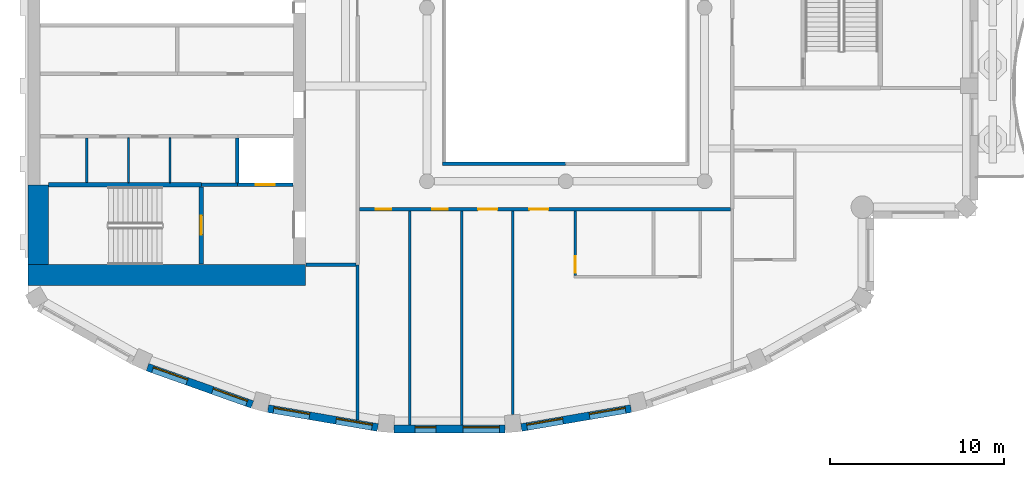
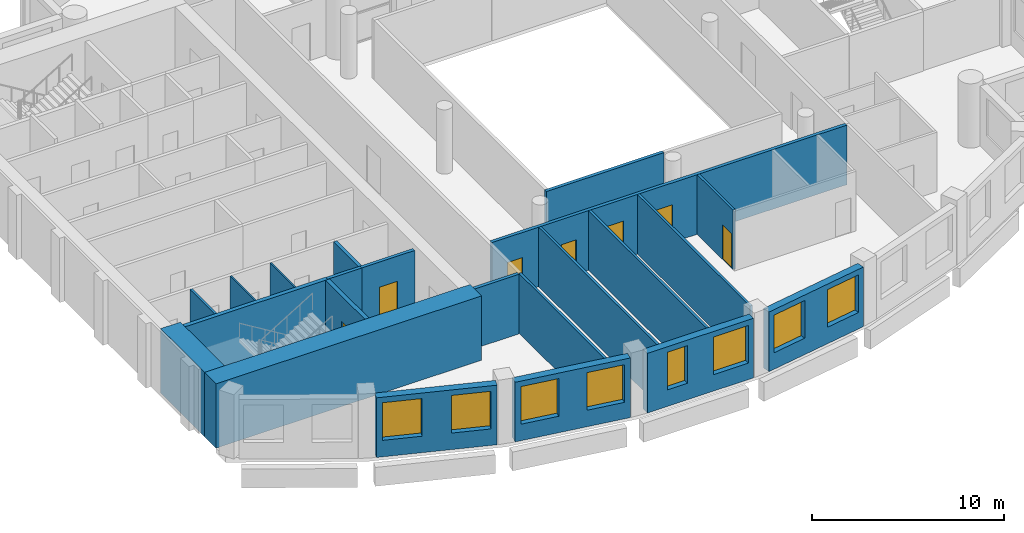
# One storey, part 4 of 14: 22 walls, 8 windows, 7 doors, 15 openings.
"""IFC4 building model written with IfcOpenShell, lengths in metres."""

from ifc_helpers import new_model, si_unit, direction, frame, frame_2d, origin, place, context, subcontext, project, spatial, rectangle, extrude, material, layer, layer_set, type_object, element, fill, save


model = new_model("IFC4")

# Units and contexts
model_context = context("Model", 3, precision=1e-05, world=origin(), true_north=direction((0.0, 1.0)))
body_context = subcontext(model_context, "Body", "Model", "MODEL_VIEW")
ifc_project = project(units=[si_unit("LENGTHUNIT", "METRE"), si_unit("AREAUNIT", "SQUARE_METRE"), si_unit("VOLUMEUNIT", "CUBIC_METRE"), si_unit("PLANEANGLEUNIT", "RADIAN"), si_unit("MASSUNIT", "GRAM", prefix="KILO")], contexts=[model_context])

# Site, building, storey
site_placement = place(None, origin())
site = spatial("IfcSite", under=ifc_project, at=site_placement, CompositionType="ELEMENT")
building_placement = place(site_placement, origin())
building = spatial("IfcBuilding", under=site, at=building_placement, Name="Cypress Arch Tower", CompositionType="ELEMENT")
storey_placement = place(building_placement, frame((0.0, 0.0, 251.60009765625)))
storey = spatial("IfcBuildingStorey", under=building, at=storey_placement, Name="L56", CompositionType="ELEMENT", Elevation=251.60009765625)

# Wall, openings, windows
ifc_material_1 = material(Name="Brick (red buff blend)", Category="masonry")
ifc_layer_1 = layer(ifc_material_1, 0.449951171875)
ifc_layer_set_1 = layer_set([ifc_layer_1], Name="Brick pier and spandrel wall BW450")
wall_type_1 = type_object("IfcWallType", Name="Brick pier and spandrel wall BW450", PredefinedType="SOLIDWALL", material=ifc_layer_set_1)
wall_1_placement = place(storey_placement, frame((-23.10498046875, -20.70947265625, 0.0), z_axis=(0.0, 0.0, 1.0), x_axis=(0.942104058931, -0.335320655711, 0.0)))
wall_1 = element("IfcWall", 1, at=wall_1_placement, inside=storey, type_object=wall_type_1, Name="Brick wall L56 C09.0", PredefinedType="SOLIDWALL", context=body_context, shape_type="SweptSolid", body=[
    extrude(rectangle(XDim=6.411376953125, YDim=0.449951171875, at=frame_2d((3.20556640625, 0.0))), origin(), (0.0, 0.0, 1.0), 3.7998046875),
])
opening_1_placement = place(wall_1_placement, frame((0.3271484375, 0.0, 1.050048828125)))
opening_1 = element("IfcOpeningElement", 2, at=opening_1_placement, cuts=wall_1, Name="Opening W210O", PredefinedType="OPENING", context=body_context, shape_type="SweptSolid", body=[
    extrude(rectangle(XDim=2.10009765625, YDim=2.39990234375, at=frame_2d((1.050048828125, 1.199951171875))), frame((0.0, 0.23486328125, 0.0), z_axis=(0.0, -1.0, 0.0), x_axis=(1.0, 0.0, 0.0)), (0.0, 0.0, 1.0), 0.469970703125),
])
opening_2_placement = place(wall_1_placement, frame((3.984619140625, 0.0, 1.050048828125)))
opening_2 = element("IfcOpeningElement", 3, at=opening_2_placement, cuts=wall_1, Name="Opening W210O", PredefinedType="OPENING", context=body_context, shape_type="SweptSolid", body=[
    extrude(rectangle(XDim=2.10009765625, YDim=2.39990234375, at=frame_2d((1.050048828125, 1.199951171875))), frame((0.0, 0.23486328125, 0.0), z_axis=(0.0, -1.0, 0.0), x_axis=(1.0, 0.0, 0.0)), (0.0, 0.0, 1.0), 0.469970703125),
])
ifc_material_2 = material(Name="Anodised aluminium, bronze finish, clear low-emissivity double glazing", Category="aluminium")
window_type_1 = type_object("IfcWindowType", Name="Window Office 2100x2400", PartitioningType="SINGLE_PANEL", PredefinedType="WINDOW", material=ifc_material_2)
window_1_placement = place(opening_1_placement, origin())
window_1 = element("IfcWindow", 4, at=window_1_placement, inside=storey, type_object=window_type_1, Name="Window L56 C09.0.1", OverallHeight=2.39990234375, OverallWidth=2.10009765625, PartitioningType="SINGLE_PANEL", PredefinedType="WINDOW", context=body_context, shape_type="SweptSolid", body=[
    extrude(rectangle(XDim=2.10009765625, YDim=2.39990234375, at=frame_2d((1.050048828125, 1.199951171875))), frame((0.0, 0.135009765625, 0.0), z_axis=(0.0, -1.0, 0.0), x_axis=(1.0, 0.0, 0.0)), (0.0, 0.0, 1.0), 0.06005859375),
])
fill(opening_1, window_1)
window_2_placement = place(opening_2_placement, origin())
window_2 = element("IfcWindow", 5, at=window_2_placement, inside=storey, type_object=window_type_1, Name="Window L56 C09.0.2", OverallHeight=2.39990234375, OverallWidth=2.10009765625, PartitioningType="SINGLE_PANEL", PredefinedType="WINDOW", context=body_context, shape_type="SweptSolid", body=[
    extrude(rectangle(XDim=2.10009765625, YDim=2.39990234375, at=frame_2d((1.050048828125, 1.199951171875))), frame((0.0, 0.135009765625, 0.0), z_axis=(0.0, -1.0, 0.0), x_axis=(1.0, 0.0, 0.0)), (0.0, 0.0, 1.0), 0.06005859375),
])
fill(opening_2, window_2)

wall_2_placement = place(storey_placement, frame((-16.15673828125, -23.09716796875, 0.0), z_axis=(0.0, 0.0, 1.0), x_axis=(0.985502073964, -0.169663379113, 0.0)))
wall_2 = element("IfcWall", 6, at=wall_2_placement, inside=storey, type_object=wall_type_1, Name="Brick wall L56 C10.0", PredefinedType="SOLIDWALL", context=body_context, shape_type="SweptSolid", body=[
    extrude(rectangle(XDim=6.412109375, YDim=0.449951171875, at=frame_2d((3.2060546875, 0.0))), origin(), (0.0, 0.0, 1.0), 3.7998046875),
])
opening_3_placement = place(wall_2_placement, frame((0.3271484375, 0.0, 1.050048828125)))
opening_3 = element("IfcOpeningElement", 7, at=opening_3_placement, cuts=wall_2, Name="Opening W210O", PredefinedType="OPENING", context=body_context, shape_type="SweptSolid", body=[
    extrude(rectangle(XDim=2.10009765625, YDim=2.39990234375, at=frame_2d((1.050048828125, 1.199951171875))), frame((0.0, 0.23486328125, 0.0), z_axis=(0.0, -1.0, 0.0), x_axis=(1.0, 0.0, 0.0)), (0.0, 0.0, 1.0), 0.469970703125),
])
opening_4_placement = place(wall_2_placement, frame((3.98486328125, 0.0, 1.050048828125)))
opening_4 = element("IfcOpeningElement", 8, at=opening_4_placement, cuts=wall_2, Name="Opening W210O", PredefinedType="OPENING", context=body_context, shape_type="SweptSolid", body=[
    extrude(rectangle(XDim=2.10009765625, YDim=2.39990234375, at=frame_2d((1.050048828125, 1.199951171875))), frame((0.0, 0.23486328125, 0.0), z_axis=(0.0, -1.0, 0.0), x_axis=(1.0, 0.0, 0.0)), (0.0, 0.0, 1.0), 0.469970703125),
])
window_3_placement = place(opening_3_placement, origin())
window_3 = element("IfcWindow", 9, at=window_3_placement, inside=storey, type_object=window_type_1, Name="Window L56 C10.0.1", OverallHeight=2.39990234375, OverallWidth=2.10009765625, PartitioningType="SINGLE_PANEL", PredefinedType="WINDOW", context=body_context, shape_type="SweptSolid", body=[
    extrude(rectangle(XDim=2.10009765625, YDim=2.39990234375, at=frame_2d((1.050048828125, 1.199951171875))), frame((0.0, 0.135009765625, 0.0), z_axis=(0.0, -1.0, 0.0), x_axis=(1.0, 0.0, 0.0)), (0.0, 0.0, 1.0), 0.06005859375),
])
fill(opening_3, window_3)
window_4_placement = place(opening_4_placement, origin())
window_4 = element("IfcWindow", 10, at=window_4_placement, inside=storey, type_object=window_type_1, Name="Window L56 C10.0.2", OverallHeight=2.39990234375, OverallWidth=2.10009765625, PartitioningType="SINGLE_PANEL", PredefinedType="WINDOW", context=body_context, shape_type="SweptSolid", body=[
    extrude(rectangle(XDim=2.10009765625, YDim=2.39990234375, at=frame_2d((1.050048828125, 1.199951171875))), frame((0.0, 0.135009765625, 0.0), z_axis=(0.0, -1.0, 0.0), x_axis=(1.0, 0.0, 0.0)), (0.0, 0.0, 1.0), 0.06005859375),
])
fill(opening_4, window_4)

wall_3_placement = place(storey_placement, frame((-8.90283203125, -24.264892578125, 0.0), z_axis=(0.0, 0.0, 1.0), x_axis=(1.0, 0.0, 0.0)))
wall_3 = element("IfcWall", 11, at=wall_3_placement, inside=storey, type_object=wall_type_1, Name="Brick wall L56 C11.0", PredefinedType="SOLIDWALL", context=body_context, shape_type="SweptSolid", body=[
    extrude(rectangle(XDim=6.405517578125, YDim=0.449951171875, at=frame_2d((3.20263671875, 0.0))), origin(), (0.0, 0.0, 1.0), 3.7998046875),
])
opening_5_placement = place(wall_3_placement, frame((3.97998046875, 0.0, 1.050048828125)))
opening_5 = element("IfcOpeningElement", 12, at=opening_5_placement, cuts=wall_3, Name="Opening W210O", PredefinedType="OPENING", context=body_context, shape_type="SweptSolid", body=[
    extrude(rectangle(XDim=2.10009765625, YDim=2.39990234375, at=frame_2d((1.050048828125, 1.199951171875))), frame((0.0, 0.23486328125, 0.0), z_axis=(0.0, -1.0, 0.0), x_axis=(1.0, 0.0, 0.0)), (0.0, 0.0, 1.0), 0.469970703125),
])
opening_6_placement = place(wall_3_placement, frame((1.214111328125, 0.0, 1.050048828125)))
opening_6 = element("IfcOpeningElement", 13, at=opening_6_placement, cuts=wall_3, Name="Opening W120O", PredefinedType="OPENING", context=body_context, shape_type="SweptSolid", body=[
    extrude(rectangle(XDim=1.199951171875, YDim=2.39990234375, at=frame_2d((0.60009765625, 1.199951171875))), frame((0.0, 0.23486328125, 0.0), z_axis=(0.0, -1.0, 0.0), x_axis=(1.0, 0.0, 0.0)), (0.0, 0.0, 1.0), 0.469970703125),
])
ifc_material_3 = material(Name="Anodised aluminium, bronze finish, clear low-emissivity double glazing", Category="aluminium")
window_type_2 = type_object("IfcWindowType", Name="Window Office 1200x2400", PartitioningType="SINGLE_PANEL", PredefinedType="WINDOW", material=ifc_material_3)
window_5_placement = place(opening_6_placement, origin())
window_5 = element("IfcWindow", 14, at=window_5_placement, inside=storey, type_object=window_type_2, Name="Window L56 C11.0.1", OverallHeight=2.39990234375, OverallWidth=1.199951171875, PartitioningType="SINGLE_PANEL", PredefinedType="WINDOW", context=body_context, shape_type="SweptSolid", body=[
    extrude(rectangle(XDim=1.199951171875, YDim=2.39990234375, at=frame_2d((0.60009765625, 1.199951171875))), frame((0.0, 0.135009765625, 0.0), z_axis=(0.0, -1.0, 0.0), x_axis=(1.0, 0.0, 0.0)), (0.0, 0.0, 1.0), 0.06005859375),
])
fill(opening_6, window_5)
window_6_placement = place(opening_5_placement, origin())
window_6 = element("IfcWindow", 15, at=window_6_placement, inside=storey, type_object=window_type_1, Name="Window L56 C11.0.2", OverallHeight=2.39990234375, OverallWidth=2.10009765625, PartitioningType="SINGLE_PANEL", PredefinedType="WINDOW", context=body_context, shape_type="SweptSolid", body=[
    extrude(rectangle(XDim=2.10009765625, YDim=2.39990234375, at=frame_2d((1.050048828125, 1.199951171875))), frame((0.0, 0.135009765625, 0.0), z_axis=(0.0, -1.0, 0.0), x_axis=(1.0, 0.0, 0.0)), (0.0, 0.0, 1.0), 0.06005859375),
])
fill(opening_5, window_6)

wall_4_placement = place(storey_placement, frame((-1.562255859375, -24.18505859375, 0.0), z_axis=(0.0, 0.0, 1.0), x_axis=(0.985502073964, 0.169663379113, 0.0)))
wall_4 = element("IfcWall", 16, at=wall_4_placement, inside=storey, type_object=wall_type_1, Name="Brick wall L56 C12.0", PredefinedType="SOLIDWALL", context=body_context, shape_type="SweptSolid", body=[
    extrude(rectangle(XDim=6.412109375, YDim=0.449951171875, at=frame_2d((3.2060546875, 0.0))), origin(), (0.0, 0.0, 1.0), 3.7998046875),
])
opening_7_placement = place(wall_4_placement, frame((0.3271484375, 0.0, 1.050048828125)))
opening_7 = element("IfcOpeningElement", 17, at=opening_7_placement, cuts=wall_4, Name="Opening W210O", PredefinedType="OPENING", context=body_context, shape_type="SweptSolid", body=[
    extrude(rectangle(XDim=2.10009765625, YDim=2.39990234375, at=frame_2d((1.050048828125, 1.199951171875))), frame((0.0, 0.23486328125, 0.0), z_axis=(0.0, -1.0, 0.0), x_axis=(1.0, 0.0, 0.0)), (0.0, 0.0, 1.0), 0.469970703125),
])
opening_8_placement = place(wall_4_placement, frame((3.98486328125, 0.0, 1.050048828125)))
opening_8 = element("IfcOpeningElement", 18, at=opening_8_placement, cuts=wall_4, Name="Opening W210O", PredefinedType="OPENING", context=body_context, shape_type="SweptSolid", body=[
    extrude(rectangle(XDim=2.10009765625, YDim=2.39990234375, at=frame_2d((1.050048828125, 1.199951171875))), frame((0.0, 0.23486328125, 0.0), z_axis=(0.0, -1.0, 0.0), x_axis=(1.0, 0.0, 0.0)), (0.0, 0.0, 1.0), 0.469970703125),
])
window_7_placement = place(opening_7_placement, origin())
window_7 = element("IfcWindow", 19, at=window_7_placement, inside=storey, type_object=window_type_1, Name="Window L56 C12.0.1", OverallHeight=2.39990234375, OverallWidth=2.10009765625, PartitioningType="SINGLE_PANEL", PredefinedType="WINDOW", context=body_context, shape_type="SweptSolid", body=[
    extrude(rectangle(XDim=2.10009765625, YDim=2.39990234375, at=frame_2d((1.050048828125, 1.199951171875))), frame((0.0, 0.135009765625, 0.0), z_axis=(0.0, -1.0, 0.0), x_axis=(1.0, 0.0, 0.0)), (0.0, 0.0, 1.0), 0.06005859375),
])
fill(opening_7, window_7)
window_8_placement = place(opening_8_placement, origin())
window_8 = element("IfcWindow", 20, at=window_8_placement, inside=storey, type_object=window_type_1, Name="Window L56 C12.0.2", OverallHeight=2.39990234375, OverallWidth=2.10009765625, PartitioningType="SINGLE_PANEL", PredefinedType="WINDOW", context=body_context, shape_type="SweptSolid", body=[
    extrude(rectangle(XDim=2.10009765625, YDim=2.39990234375, at=frame_2d((1.050048828125, 1.199951171875))), frame((0.0, 0.135009765625, 0.0), z_axis=(0.0, -1.0, 0.0), x_axis=(1.0, 0.0, 0.0)), (0.0, 0.0, 1.0), 0.06005859375),
])
fill(opening_8, window_8)

# Walls
ifc_material_4 = material(Name="Concrete C60/75", Category="concrete")
ifc_layer_2 = layer(ifc_material_4, 1.199951171875)
ifc_layer_set_2 = layer_set([ifc_layer_2], Name="Core wall CW1200 C60/75")
wall_type_2 = type_object("IfcWallType", Name="Core wall CW1200 C60/75", PredefinedType="SHEAR", material=ifc_layer_set_2)
wall_5_placement = place(storey_placement, frame((-30.0, -15.39990234375, 0.0), z_axis=(0.0, 0.0, 1.0), x_axis=(1.0, 0.0, 0.0)))
element("IfcWall", 21, at=wall_5_placement, inside=storey, type_object=wall_type_2, Name="Core wall", PredefinedType="SHEAR", context=body_context, shape_type="SweptSolid", body=[
    extrude(rectangle(XDim=16.0, YDim=1.199951171875, at=frame_2d((8.0, 0.0))), origin(), (0.0, 0.0, 1.0), 4.099853515625),
])
wall_6_placement = place(storey_placement, frame((-29.39990234375, -14.800048828125, 0.0), z_axis=(0.0, 0.0, 1.0), x_axis=(0.0, 1.0, 0.0)))
element("IfcWall", 22, at=wall_6_placement, inside=storey, type_object=wall_type_2, Name="Core wall", PredefinedType="SHEAR", context=body_context, shape_type="SweptSolid", body=[
    extrude(rectangle(XDim=4.60009765625, YDim=1.199951171875, at=frame_2d((2.300048828125, 0.0))), origin(), (0.0, 0.0, 1.0), 4.099853515625),
])
ifc_material_5 = material(Name="Concrete blockwork, plastered, rated", Category="masonry")
ifc_layer_3 = layer(ifc_material_5, 0.199951171875)
ifc_layer_set_3 = layer_set([ifc_layer_3], Name="Corridor wall FW200")
wall_type_3 = type_object("IfcWallType", Name="Corridor wall FW200", PredefinedType="PARTITIONING", material=ifc_layer_set_3)
wall_7_placement = place(storey_placement, frame((-20.0, -10.199951171875, 0.0), z_axis=(0.0, 0.0, 1.0), x_axis=(1.0, 0.0, 0.0)))
element("IfcWall", 23, at=wall_7_placement, inside=storey, type_object=wall_type_3, Name="Corridor wall", PredefinedType="PARTITIONING", context=body_context, shape_type="SweptSolid", body=[
    extrude(rectangle(XDim=2.080078125, YDim=0.199951171875, at=frame_2d((1.0400390625, 0.0))), origin(), (0.0, 0.0, 1.0), 3.7998046875),
])
wall_8_placement = place(storey_placement, frame((-13.969970703125, -14.800048828125, 0.0), z_axis=(0.0, 0.0, 1.0), x_axis=(1.0, 0.0, 0.0)))
element("IfcWall", 24, at=wall_8_placement, inside=storey, type_object=wall_type_3, Name="Corridor wall", PredefinedType="PARTITIONING", context=body_context, shape_type="SweptSolid", body=[
    extrude(rectangle(XDim=2.869873046875, YDim=0.199951171875, at=frame_2d((1.43505859375, 0.0))), origin(), (0.0, 0.0, 1.0), 3.7998046875),
])

# Wall, openings, doors
wall_9_placement = place(storey_placement, frame((-10.89990234375, -11.60009765625, 0.0), z_axis=(0.0, 0.0, 1.0), x_axis=(1.0, 0.0, 0.0)))
wall_9 = element("IfcWall", 25, at=wall_9_placement, inside=storey, type_object=wall_type_3, Name="Corridor wall", PredefinedType="PARTITIONING", context=body_context, shape_type="SweptSolid", body=[
    extrude(rectangle(XDim=21.39990234375, YDim=0.199951171875, at=frame_2d((10.699951171875, 0.0))), origin(), (0.0, 0.0, 1.0), 3.7998046875),
])
opening_9_placement = place(wall_9_placement, frame((0.949951171875, 0.0, 0.0)))
opening_9 = element("IfcOpeningElement", 26, at=opening_9_placement, cuts=wall_9, Name="Opening D05", PredefinedType="OPENING", context=body_context, shape_type="SweptSolid", body=[
    extrude(rectangle(XDim=0.89990234375, YDim=2.199951171875, at=frame_2d((0.449951171875, 1.10009765625))), frame((0.0, 0.10986328125, 0.0), z_axis=(0.0, -1.0, 0.0), x_axis=(1.0, 0.0, 0.0)), (0.0, 0.0, 1.0), 0.219970703125),
])
opening_10_placement = place(wall_9_placement, frame((4.199951171875, 0.0, 0.0)))
opening_10 = element("IfcOpeningElement", 27, at=opening_10_placement, cuts=wall_9, Name="Opening D05", PredefinedType="OPENING", context=body_context, shape_type="SweptSolid", body=[
    extrude(rectangle(XDim=0.89990234375, YDim=2.199951171875, at=frame_2d((0.449951171875, 1.10009765625))), frame((0.0, 0.10986328125, 0.0), z_axis=(0.0, -1.0, 0.0), x_axis=(1.0, 0.0, 0.0)), (0.0, 0.0, 1.0), 0.219970703125),
])
opening_11_placement = place(wall_9_placement, frame((6.85009765625, 0.0, 0.0)))
opening_11 = element("IfcOpeningElement", 28, at=opening_11_placement, cuts=wall_9, Name="Opening D01", PredefinedType="OPENING", context=body_context, shape_type="SweptSolid", body=[
    extrude(rectangle(XDim=1.10009765625, YDim=2.39990234375, at=frame_2d((0.550048828125, 1.199951171875))), frame((0.0, 0.10986328125, 0.0), z_axis=(0.0, -1.0, 0.0), x_axis=(1.0, 0.0, 0.0)), (0.0, 0.0, 1.0), 0.219970703125),
])
opening_12_placement = place(wall_9_placement, frame((9.800048828125, 0.0, 0.0)))
opening_12 = element("IfcOpeningElement", 29, at=opening_12_placement, cuts=wall_9, Name="Opening D01", PredefinedType="OPENING", context=body_context, shape_type="SweptSolid", body=[
    extrude(rectangle(XDim=1.10009765625, YDim=2.39990234375, at=frame_2d((0.550048828125, 1.199951171875))), frame((0.0, 0.10986328125, 0.0), z_axis=(0.0, -1.0, 0.0), x_axis=(1.0, 0.0, 0.0)), (0.0, 0.0, 1.0), 0.219970703125),
])
ifc_material_6 = material(Name="Timber flush door", Category="wood")
door_type_1 = type_object("IfcDoorType", Name="Service door D05 900x2200", OperationType="SINGLE_SWING_LEFT", PredefinedType="DOOR", material=ifc_material_6)
door_1_placement = place(opening_9_placement, origin())
door_1 = element("IfcDoor", 30, at=door_1_placement, inside=storey, type_object=door_type_1, Name="Service door", OperationType="SINGLE_SWING_RIGHT", OverallHeight=2.199951171875, OverallWidth=0.89990234375, PredefinedType="DOOR", context=body_context, shape_type="SweptSolid", body=[
    extrude(rectangle(XDim=0.89990234375, YDim=2.199951171875, at=frame_2d((0.449951171875, 1.10009765625))), frame((0.0, 0.02490234375, 0.0), z_axis=(0.0, -1.0, 0.0), x_axis=(1.0, 0.0, 0.0)), (0.0, 0.0, 1.0), 0.050048828125),
])
fill(opening_9, door_1)
door_2_placement = place(opening_10_placement, origin())
door_2 = element("IfcDoor", 31, at=door_2_placement, inside=storey, type_object=door_type_1, Name="Service door", OperationType="SINGLE_SWING_LEFT", OverallHeight=2.199951171875, OverallWidth=0.89990234375, PredefinedType="DOOR", context=body_context, shape_type="SweptSolid", body=[
    extrude(rectangle(XDim=0.89990234375, YDim=2.199951171875, at=frame_2d((0.449951171875, 1.10009765625))), frame((0.0, 0.02490234375, 0.0), z_axis=(0.0, -1.0, 0.0), x_axis=(1.0, 0.0, 0.0)), (0.0, 0.0, 1.0), 0.050048828125),
])
fill(opening_10, door_2)
ifc_material_7 = material(Name="Timber flush door, fire resisting, self-closing", Category="wood")
door_type_2 = type_object("IfcDoorType", Name="Unit entrance door D01 1100x2400", OperationType="SINGLE_SWING_LEFT", PredefinedType="DOOR", material=ifc_material_7)
door_3_placement = place(opening_11_placement, origin())
door_3 = element("IfcDoor", 32, at=door_3_placement, inside=storey, type_object=door_type_2, Name="Unit entrance door", OperationType="SINGLE_SWING_LEFT", OverallHeight=2.39990234375, OverallWidth=1.10009765625, PredefinedType="DOOR", context=body_context, shape_type="SweptSolid", body=[
    extrude(rectangle(XDim=1.10009765625, YDim=2.39990234375, at=frame_2d((0.550048828125, 1.199951171875))), frame((0.0, 0.02490234375, 0.0), z_axis=(0.0, -1.0, 0.0), x_axis=(1.0, 0.0, 0.0)), (0.0, 0.0, 1.0), 0.050048828125),
])
fill(opening_11, door_3)
door_4_placement = place(opening_12_placement, origin())
door_4 = element("IfcDoor", 33, at=door_4_placement, inside=storey, type_object=door_type_2, Name="Unit entrance door", OperationType="SINGLE_SWING_RIGHT", OverallHeight=2.39990234375, OverallWidth=1.10009765625, PredefinedType="DOOR", context=body_context, shape_type="SweptSolid", body=[
    extrude(rectangle(XDim=1.10009765625, YDim=2.39990234375, at=frame_2d((0.550048828125, 1.199951171875))), frame((0.0, 0.02490234375, 0.0), z_axis=(0.0, -1.0, 0.0), x_axis=(1.0, 0.0, 0.0)), (0.0, 0.0, 1.0), 0.050048828125),
])
fill(opening_12, door_4)

# Walls
wall_10_placement = place(storey_placement, frame((-6.10009765625, -9.0, 0.0), z_axis=(0.0, 0.0, 1.0), x_axis=(1.0, 0.0, 0.0)))
element("IfcWall", 34, at=wall_10_placement, inside=storey, type_object=wall_type_3, Name="Corridor wall", PredefinedType="PARTITIONING", context=body_context, shape_type="SweptSolid", body=[
    extrude(rectangle(XDim=7.080078125, YDim=0.199951171875, at=frame_2d((3.5400390625, 0.0))), origin(), (0.0, 0.0, 1.0), 3.7998046875),
])
ifc_material_8 = material(Name="Blockwork, plastered both sides", Category="masonry")
ifc_layer_4 = layer(ifc_material_8, 0.14990234375)
ifc_layer_set_4 = layer_set([ifc_layer_4], Name="Partition PW150")
wall_type_4 = type_object("IfcWallType", Name="Partition PW150", PredefinedType="PARTITIONING", material=ifc_layer_set_4)
wall_11_placement = place(storey_placement, frame((-26.60009765625, -10.074951171875, 0.0), z_axis=(0.0, 0.0, 1.0), x_axis=(0.0, 1.0, 0.0)))
element("IfcWall", 35, at=wall_11_placement, inside=storey, type_object=wall_type_4, Name="Partition", PredefinedType="PARTITIONING", context=body_context, shape_type="SweptSolid", body=[
    extrude(rectangle(XDim=2.574951171875, YDim=0.14990234375, at=frame_2d((1.28759765625, 0.0))), origin(), (0.0, 0.0, 1.0), 3.7998046875),
])
wall_12_placement = place(storey_placement, frame((-11.0, -23.756591796875, 0.0), z_axis=(0.0, 0.0, 1.0), x_axis=(0.0, 1.0, 0.0)))
element("IfcWall", 36, at=wall_12_placement, inside=storey, type_object=wall_type_4, Name="Partition", PredefinedType="PARTITIONING", context=body_context, shape_type="SweptSolid", body=[
    extrude(rectangle(XDim=8.9365234375, YDim=0.14990234375, at=frame_2d((4.46826171875, 0.0))), origin(), (0.0, 0.0, 1.0), 3.7998046875),
])
for number, where, z_axis, x_axis, name in (
    (37, (-8.0, -24.0400390625, 0.0), (0.0, 0.0, 1.0), (0.0, 1.0, 0.0), "Partition"),
    (38, (-5.0, -24.0400390625, 0.0), (0.0, 0.0, 1.0), (0.0, 1.0, 0.0), "Partition"),
):
    element("IfcWall", number, at=place(storey_placement, frame(where, z_axis=z_axis, x_axis=x_axis)), inside=storey, type_object=wall_type_4, Name=name, PredefinedType="PARTITIONING", context=body_context, shape_type="SweptSolid", body=[
        extrude(rectangle(XDim=12.340087890625, YDim=0.14990234375, at=frame_2d((6.169921875, 0.0))), origin(), (0.0, 0.0, 1.0), 3.7998046875),
    ])
wall_13_placement = place(storey_placement, frame((-2.0458984375, -23.441162109375, 0.0), z_axis=(0.0, 0.0, 1.0), x_axis=(0.0, 1.0, 0.0)))
element("IfcWall", 39, at=wall_13_placement, inside=storey, type_object=wall_type_4, Name="Partition", PredefinedType="PARTITIONING", context=body_context, shape_type="SweptSolid", body=[
    extrude(rectangle(XDim=11.7412109375, YDim=0.14990234375, at=frame_2d((5.87060546875, 0.0))), origin(), (0.0, 0.0, 1.0), 3.7998046875),
])

# Wall, opening, door
wall_14_placement = place(storey_placement, frame((1.553955078125, -15.425048828125, 0.0), z_axis=(0.0, 0.0, 1.0), x_axis=(0.0, 1.0, 0.0)))
wall_14 = element("IfcWall", 40, at=wall_14_placement, inside=storey, type_object=wall_type_4, Name="Partition", PredefinedType="PARTITIONING", context=body_context, shape_type="SweptSolid", body=[
    extrude(rectangle(XDim=3.72509765625, YDim=0.14990234375, at=frame_2d((1.862548828125, 0.0))), origin(), (0.0, 0.0, 1.0), 3.7998046875),
])
opening_13_placement = place(wall_14_placement, frame((0.14990234375, 0.0, 0.0)))
opening_13 = element("IfcOpeningElement", 41, at=opening_13_placement, cuts=wall_14, Name="Opening D12", PredefinedType="OPENING", context=body_context, shape_type="SweptSolid", body=[
    extrude(rectangle(XDim=0.949951171875, YDim=2.199951171875, at=frame_2d((0.47509765625, 1.10009765625))), frame((0.0, 0.0849609375, 0.0), z_axis=(0.0, -1.0, 0.0), x_axis=(1.0, 0.0, 0.0)), (0.0, 0.0, 1.0), 0.169921875),
])
ifc_material_9 = material(Name="Timber flush door", Category="wood")
door_type_3 = type_object("IfcDoorType", Name="Room door D12 950x2200", OperationType="SINGLE_SWING_LEFT", PredefinedType="DOOR", material=ifc_material_9)
door_5_placement = place(opening_13_placement, origin())
door_5 = element("IfcDoor", 42, at=door_5_placement, inside=storey, type_object=door_type_3, Name="Room door", OperationType="SINGLE_SWING_RIGHT", OverallHeight=2.199951171875, OverallWidth=0.949951171875, PredefinedType="DOOR", context=body_context, shape_type="SweptSolid", body=[
    extrude(rectangle(XDim=0.949951171875, YDim=2.199951171875, at=frame_2d((0.47509765625, 1.10009765625))), frame((0.0, 0.02490234375, 0.0), z_axis=(0.0, -1.0, 0.0), x_axis=(1.0, 0.0, 0.0)), (0.0, 0.0, 1.0), 0.050048828125),
])
fill(opening_13, door_5)

# Wall
ifc_material_10 = material(Name="Concrete C50/60", Category="concrete")
ifc_layer_5 = layer(ifc_material_10, 0.199951171875)
ifc_layer_set_5 = layer_set([ifc_layer_5], Name="Shaft wall SH200")
wall_type_5 = type_object("IfcWallType", Name="Shaft wall SH200", PredefinedType="SHEAR", material=ifc_layer_set_5)
wall_15_placement = place(storey_placement, frame((-17.919921875, -10.10009765625, 0.0), z_axis=(0.0, 0.0, 1.0), x_axis=(0.0, 1.0, 0.0)))
element("IfcWall", 43, at=wall_15_placement, inside=storey, type_object=wall_type_5, Name="Shaft wall", PredefinedType="SHEAR", context=body_context, shape_type="SweptSolid", body=[
    extrude(rectangle(XDim=2.60009765625, YDim=0.199951171875, at=frame_2d((1.300048828125, 0.0))), origin(), (0.0, 0.0, 1.0), 3.7998046875),
])

# Wall, opening, door
wall_16_placement = place(storey_placement, frame((-17.919921875, -10.199951171875, 0.0), z_axis=(0.0, 0.0, 1.0), x_axis=(1.0, 0.0, 0.0)))
wall_16 = element("IfcWall", 44, at=wall_16_placement, inside=storey, type_object=wall_type_5, Name="Shaft wall", PredefinedType="SHEAR", context=body_context, shape_type="SweptSolid", body=[
    extrude(rectangle(XDim=3.18994140625, YDim=0.199951171875, at=frame_2d((1.594970703125, 0.0))), origin(), (0.0, 0.0, 1.0), 3.7998046875),
])
opening_14_placement = place(wall_16_placement, frame((1.050048828125, 0.0, 0.0)))
opening_14 = element("IfcOpeningElement", 45, at=opening_14_placement, cuts=wall_16, Name="Opening LD-FL1", PredefinedType="OPENING", context=body_context, shape_type="SweptSolid", body=[
    extrude(rectangle(XDim=1.10009765625, YDim=2.199951171875, at=frame_2d((0.550048828125, 1.10009765625))), frame((0.0, 0.10986328125, 0.0), z_axis=(0.0, -1.0, 0.0), x_axis=(1.0, 0.0, 0.0)), (0.0, 0.0, 1.0), 0.219970703125),
])
ifc_material_11 = material(Name="Stainless steel centre-opening landing door, rated", Category="steel")
door_type_4 = type_object("IfcDoorType", Name="Lift landing door LD 1100x2200", OperationType="DOUBLE_DOOR_SLIDING", PredefinedType="DOOR", material=ifc_material_11)
door_6_placement = place(opening_14_placement, origin())
door_6 = element("IfcDoor", 46, at=door_6_placement, inside=storey, type_object=door_type_4, Name="Lift landing doors FL1", OperationType="DOUBLE_DOOR_SLIDING", OverallHeight=2.199951171875, OverallWidth=1.10009765625, PredefinedType="DOOR", context=body_context, shape_type="SweptSolid", body=[
    extrude(rectangle(XDim=1.10009765625, YDim=2.199951171875, at=frame_2d((0.550048828125, 1.10009765625))), frame((0.0, 0.02490234375, 0.0), z_axis=(0.0, -1.0, 0.0), x_axis=(1.0, 0.0, 0.0)), (0.0, 0.0, 1.0), 0.050048828125),
])
fill(opening_14, door_6)

# Wall
ifc_material_12 = material(Name="Concrete C50/60", Category="concrete")
ifc_layer_6 = layer(ifc_material_12, 0.25)
ifc_layer_set_6 = layer_set([ifc_layer_6], Name="Stair enclosure wall SW250")
wall_type_6 = type_object("IfcWallType", Name="Stair enclosure wall SW250", PredefinedType="SHEAR", material=ifc_layer_set_6)
wall_17_placement = place(storey_placement, frame((-28.81005859375, -10.199951171875, 0.0), z_axis=(0.0, 0.0, 1.0), x_axis=(1.0, 0.0, 0.0)))
element("IfcWall", 47, at=wall_17_placement, inside=storey, type_object=wall_type_6, Name="Stair enclosure wall", PredefinedType="SHEAR", context=body_context, shape_type="SweptSolid", body=[
    extrude(rectangle(XDim=8.81005859375, YDim=0.25, at=frame_2d((4.405029296875, 0.0))), origin(), (0.0, 0.0, 1.0), 3.7998046875),
])

# Wall, opening, door
wall_18_placement = place(storey_placement, frame((-20.0, -14.77001953125, 0.0), z_axis=(0.0, 0.0, 1.0), x_axis=(0.0, 1.0, 0.0)))
wall_18 = element("IfcWall", 48, at=wall_18_placement, inside=storey, type_object=wall_type_6, Name="Stair enclosure wall", PredefinedType="SHEAR", context=body_context, shape_type="SweptSolid", body=[
    extrude(rectangle(XDim=4.445068359375, YDim=0.25, at=frame_2d((2.22265625, 0.0))), origin(), (0.0, 0.0, 1.0), 3.7998046875),
])
opening_15_placement = place(wall_18_placement, frame((1.699951171875, 0.0, 0.0)))
opening_15 = element("IfcOpeningElement", 49, at=opening_15_placement, cuts=wall_18, Name="Opening D06", PredefinedType="OPENING", context=body_context, shape_type="SweptSolid", body=[
    extrude(rectangle(XDim=1.10009765625, YDim=2.199951171875, at=frame_2d((0.550048828125, 1.10009765625))), frame((0.0, 0.135009765625, 0.0), z_axis=(0.0, -1.0, 0.0), x_axis=(1.0, 0.0, 0.0)), (0.0, 0.0, 1.0), 0.27001953125),
])
ifc_material_13 = material(Name="Steel door, fire resisting, panic bar", Category="steel")
door_type_5 = type_object("IfcDoorType", Name="Stair door D06 1100x2200", OperationType="SINGLE_SWING_LEFT", PredefinedType="DOOR", material=ifc_material_13)
door_7_placement = place(opening_15_placement, origin())
door_7 = element("IfcDoor", 50, at=door_7_placement, inside=storey, type_object=door_type_5, Name="Stair door", OperationType="SINGLE_SWING_RIGHT", OverallHeight=2.199951171875, OverallWidth=1.10009765625, PredefinedType="DOOR", context=body_context, shape_type="SweptSolid", body=[
    extrude(rectangle(XDim=1.10009765625, YDim=2.199951171875, at=frame_2d((0.550048828125, 1.10009765625))), frame((0.0, 0.02490234375, 0.0), z_axis=(0.0, -1.0, 0.0), x_axis=(1.0, 0.0, 0.0)), (0.0, 0.0, 1.0), 0.050048828125),
])
fill(opening_15, door_7)

# Walls
ifc_material_14 = material(Name="Moisture resistant board on steel studs, tiled", Category="steel")
ifc_layer_7 = layer(ifc_material_14, 0.10009765625)
ifc_layer_set_7 = layer_set([ifc_layer_7], Name="Wet wall PW100")
wall_type_7 = type_object("IfcWallType", Name="Wet wall PW100", PredefinedType="PARTITIONING", material=ifc_layer_set_7)
for number, where, z_axis, x_axis, name in (
    (51, (-24.199951171875, -10.074951171875, 0.0), (0.0, 0.0, 1.0), (0.0, 1.0, 0.0), "Wet wall"),
    (52, (-21.800048828125, -10.074951171875, 0.0), (0.0, 0.0, 1.0), (0.0, 1.0, 0.0), "Wet wall"),
):
    element("IfcWall", number, at=place(storey_placement, frame(where, z_axis=z_axis, x_axis=x_axis)), inside=storey, type_object=wall_type_7, Name=name, PredefinedType="PARTITIONING", context=body_context, shape_type="SweptSolid", body=[
        extrude(rectangle(XDim=2.574951171875, YDim=0.10009765625, at=frame_2d((1.28759765625, 0.0))), origin(), (0.0, 0.0, 1.0), 3.7998046875),
    ])

save(model, "model.ifc")
